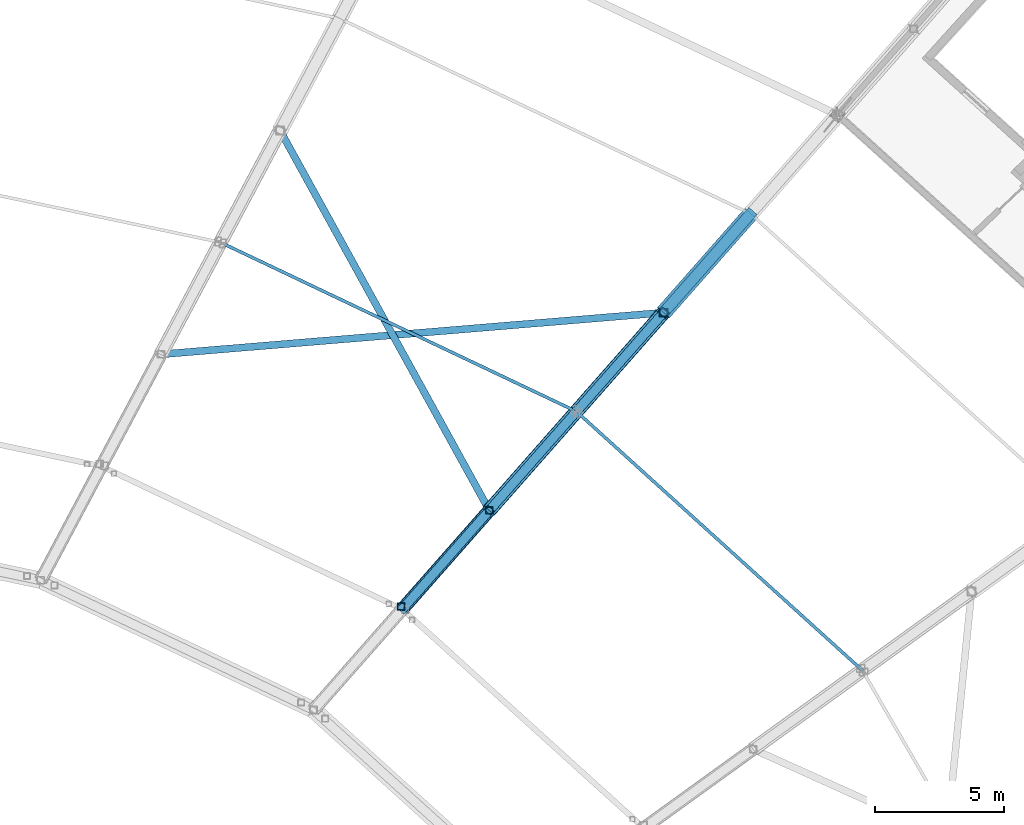
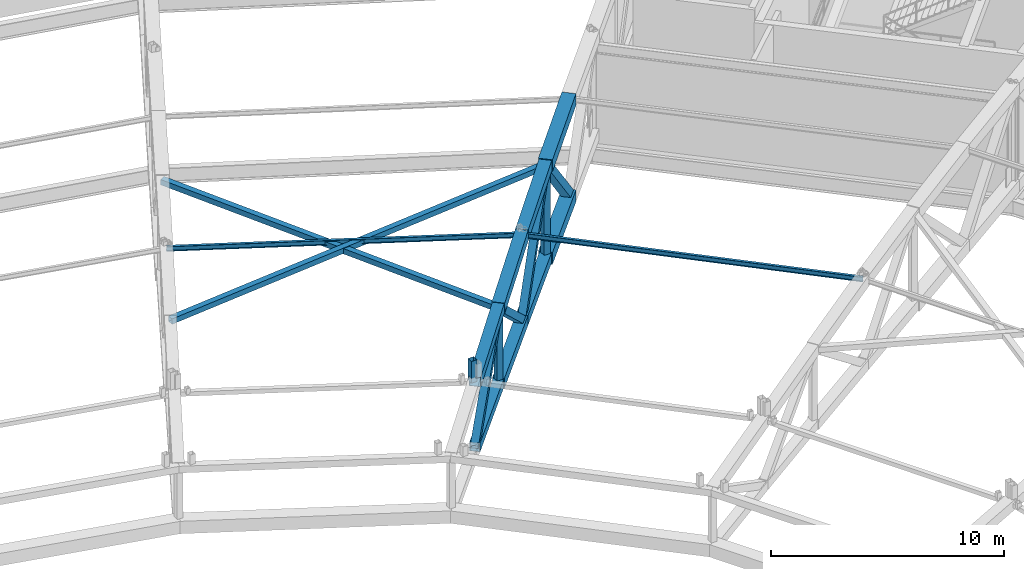
# One storey, part 85 of 162: 19 members.
"""IFC4 building model written with IfcOpenShell, lengths in metres."""

from ifc_helpers import new_model, si_unit, direction, frame, origin, origin_2d, place, context, subcontext, project, spatial, hollow_rectangle, i_section, extrude, material, material_profile, profile_set, type_object, element, save


model = new_model("IFC4")

# Units and contexts
model_context = context("Model", 3, precision=1e-05, world=origin(), true_north=direction((0.0, 1.0)))
body_context = subcontext(model_context, "Body", "Model", "MODEL_VIEW")
ifc_project = project(units=[si_unit("LENGTHUNIT", "METRE"), si_unit("AREAUNIT", "SQUARE_METRE"), si_unit("VOLUMEUNIT", "CUBIC_METRE"), si_unit("PLANEANGLEUNIT", "RADIAN"), si_unit("MASSUNIT", "GRAM", prefix="KILO")], contexts=[model_context])

# Site, building, storey
site_placement = place(None, origin())
site = spatial("IfcSite", under=ifc_project, at=site_placement, CompositionType="ELEMENT")
building_placement = place(site_placement, origin())
building = spatial("IfcBuilding", under=site, at=building_placement, Name="Kazemori Nagisa Stadium", CompositionType="ELEMENT")
storey_placement = place(building_placement, frame((0.0, 0.0, 36.719970703125)))
storey = spatial("IfcBuildingStorey", under=building, at=storey_placement, Name="RF", CompositionType="ELEMENT", Elevation=36.719970703125)

# Members
ifc_material_1 = material(Name="Steel STKR490", Category="steel")
ifc_material_profile_1 = material_profile(ifc_material_1, hollow_rectangle(XDim=0.280029296875, YDim=0.280029296875, WallThickness=0.010009765625, at=origin_2d()), Name="SHS-280x280x10")
ifc_profile_set_1 = profile_set([ifc_material_profile_1], Name="Steel STKR490")
member_type_1 = type_object("IfcMemberType", Name="Member_ST-SHS280", PredefinedType="STUD", material=ifc_profile_set_1)
member_1_placement = place(storey_placement, frame((159.884765625, 144.034912109375, 4.97509765625), z_axis=(0.0, 0.0, 1.0), x_axis=(1.0, 0.0, 0.0)))
element("IfcMember", 1, at=member_1_placement, inside=storey, type_object=member_type_1, Name="Canopy bearing stool B05-inner-4", PredefinedType="STUD", context=body_context, shape_type="SweptSolid", body=[
    extrude(hollow_rectangle(XDim=0.280029296875, YDim=0.280029296875, WallThickness=0.010009765625, at=origin_2d()), origin(), (0.0, 0.0, 1.0), 1.1298828125),
])
ifc_material_profile_2 = material_profile(ifc_material_1, hollow_rectangle(XDim=0.280029296875, YDim=0.280029296875, WallThickness=0.010009765625, at=origin_2d()), Name="SHS-280x280x10")
ifc_profile_set_2 = profile_set([ifc_material_profile_2], Name="Steel STKR490")
member_type_2 = type_object("IfcMemberType", Name="Member_TB-SHS280", PredefinedType="BRACE", material=ifc_profile_set_2)
member_2_placement = place(storey_placement, frame((170.07373046875, 155.436279296875, 5.787109375), z_axis=(-0.996455575156, -0.082606682225, -0.015887819015), x_axis=(0.082617110104, -0.99658136302, 0.0)))
element("IfcMember", 2, at=member_2_placement, inside=storey, type_object=member_type_2, Name="Roof space truss plan brace B05-1", PredefinedType="BRACE", context=body_context, shape_type="SweptSolid", body=[
    extrude(hollow_rectangle(XDim=0.280029296875, YDim=0.280029296875, WallThickness=0.010009765625, at=origin_2d()), origin(), (0.0, 0.0, 1.0), 19.576904296875),
])
member_3_placement = place(storey_placement, frame((155.189208984375, 162.509033203125, 5.89111328125), z_axis=(0.482251901216, -0.875430318288, -0.032478632926), x_axis=(0.875892412816, 0.482506457129, 0.0)))
element("IfcMember", 3, at=member_3_placement, inside=storey, type_object=member_type_2, Name="Roof space truss plan brace B05-2", PredefinedType="BRACE", context=body_context, shape_type="SweptSolid", body=[
    extrude(hollow_rectangle(XDim=0.280029296875, YDim=0.280029296875, WallThickness=0.010009765625, at=origin_2d()), origin(), (0.0, 0.0, 1.0), 16.845458984375),
])
ifc_material_profile_3 = material_profile(ifc_material_1, hollow_rectangle(XDim=0.360107421875, YDim=0.360107421875, WallThickness=0.013916015625, at=origin_2d()), Name="SHS-360x360x14")
ifc_profile_set_3 = profile_set([ifc_material_profile_3], Name="Steel STKR490")
member_type_3 = type_object("IfcMemberType", Name="Member_TB-SHS360", PredefinedType="BRACE", material=ifc_profile_set_3)
member_4_placement = place(storey_placement, frame((170.07373046875, 155.436279296875, 5.787109375), z_axis=(-0.490786819249, -0.557106488382, -0.66989600585), x_axis=(0.750357303375, -0.661032463099, 0.0)))
element("IfcMember", 4, at=member_4_placement, inside=storey, type_object=member_type_3, Name="Roof space truss diagonal RT-05-6", PredefinedType="BRACE", context=body_context, shape_type="SweptSolid", body=[
    extrude(hollow_rectangle(XDim=0.360107421875, YDim=0.360107421875, WallThickness=0.013916015625, at=origin_2d()), origin(), (0.0, 0.0, 1.0), 6.8876953125),
])
member_5_placement = place(storey_placement, frame((166.693359375, 151.59912109375, 1.173095703125), z_axis=(-0.512253379035, -0.581473808919, 0.632048008626), x_axis=(0.750357303375, -0.661032463099, 0.0)))
element("IfcMember", 5, at=member_5_placement, inside=storey, type_object=member_type_3, Name="Roof space truss diagonal RT-05-7", PredefinedType="BRACE", context=body_context, shape_type="SweptSolid", body=[
    extrude(hollow_rectangle(XDim=0.360107421875, YDim=0.360107421875, WallThickness=0.013916015625, at=origin_2d()), origin(), (0.0, 0.0, 1.0), 6.59912109375),
])
member_6_placement = place(storey_placement, frame((163.31298828125, 147.761962890625, 5.343994140625), z_axis=(-0.531302334528, -0.603140396662, -0.594928139559), x_axis=(0.750380984059, -0.661005581491, 0.0)))
element("IfcMember", 6, at=member_6_placement, inside=storey, type_object=member_type_3, Name="Roof space truss diagonal RT-05-8", PredefinedType="BRACE", context=body_context, shape_type="SweptSolid", body=[
    extrude(hollow_rectangle(XDim=0.360107421875, YDim=0.360107421875, WallThickness=0.013916015625, at=origin_2d()), origin(), (0.0, 0.0, 1.0), 6.362060546875),
])
ifc_material_profile_4 = material_profile(ifc_material_1, hollow_rectangle(XDim=0.419921875, YDim=0.419921875, WallThickness=0.01611328125, at=origin_2d()), Name="SHS-420x420x16")
ifc_profile_set_4 = profile_set([ifc_material_profile_4], Name="Steel STKR490")
member_type_4 = type_object("IfcMemberType", Name="Member_TB-SHS420", PredefinedType="BRACE", material=ifc_profile_set_4)
member_7_placement = place(storey_placement, frame((173.453857421875, 159.2734375, 0.697998046875), z_axis=(-0.468522650093, -0.531872191514, 0.705406619082), x_axis=(0.750380984059, -0.661005581491, 0.0)))
element("IfcMember", 7, at=member_7_placement, inside=storey, type_object=member_type_4, Name="Roof space truss diagonal RT-05-5", PredefinedType="BRACE", context=body_context, shape_type="SweptSolid", body=[
    extrude(hollow_rectangle(XDim=0.419921875, YDim=0.419921875, WallThickness=0.01611328125, at=origin_2d()), origin(), (0.0, 0.0, 1.0), 7.21435546875),
])
ifc_material_profile_5 = material_profile(ifc_material_1, hollow_rectangle(XDim=0.4599609375, YDim=0.4599609375, WallThickness=0.01611328125, at=origin_2d()), Name="SHS-460x460x16")
ifc_profile_set_5 = profile_set([ifc_material_profile_5], Name="Steel STKR490")
member_type_5 = type_object("IfcMemberType", Name="Member_TC-SHS460", PredefinedType="CHORD", material=ifc_profile_set_5)
member_8_placement = place(storey_placement, frame((163.31298828125, 147.761962890625, 1.39111328125), z_axis=(-0.660649273898, -0.749976499664, 0.032829664171), x_axis=(0.750380984059, -0.661005581491, 0.0)))
element("IfcMember", 8, at=member_8_placement, inside=storey, type_object=member_type_5, Name="Roof space truss bottom chord RT-05-8", PredefinedType="CHORD", context=body_context, shape_type="SweptSolid", body=[
    extrude(hollow_rectangle(XDim=0.4599609375, YDim=0.4599609375, WallThickness=0.01611328125, at=origin_2d()), origin(), (0.0, 0.0, 1.0), 5.116455078125),
])
ifc_material_profile_6 = material_profile(ifc_material_1, hollow_rectangle(XDim=0.52001953125, YDim=0.52001953125, WallThickness=0.01904296875, at=origin_2d()), Name="SHS-520x520x19")
ifc_profile_set_6 = profile_set([ifc_material_profile_6], Name="Steel STKR490")
member_type_6 = type_object("IfcMemberType", Name="Member_TC-SHS520", PredefinedType="CHORD", material=ifc_profile_set_6)
member_9_placement = place(storey_placement, frame((170.07373046875, 155.436279296875, 0.93505859375), z_axis=(-0.660317483099, -0.749545708642, 0.046497872745), x_axis=(0.750357303375, -0.661032463099, 0.0)))
element("IfcMember", 9, at=member_9_placement, inside=storey, type_object=member_type_6, Name="Roof space truss bottom chord RT-05-6", PredefinedType="CHORD", context=body_context, shape_type="SweptSolid", body=[
    extrude(hollow_rectangle(XDim=0.52001953125, YDim=0.52001953125, WallThickness=0.01904296875, at=origin_2d()), origin(), (0.0, 0.0, 1.0), 5.119384765625),
])
member_10_placement = place(storey_placement, frame((166.693359375, 151.59912109375, 1.173095703125), z_axis=(-0.660432532392, -0.749676304463, 0.042594702544), x_axis=(0.750357303375, -0.661032463099, 0.0)))
element("IfcMember", 10, at=member_10_placement, inside=storey, type_object=member_type_6, Name="Roof space truss bottom chord RT-05-7", PredefinedType="CHORD", context=body_context, shape_type="SweptSolid", body=[
    extrude(hollow_rectangle(XDim=0.52001953125, YDim=0.52001953125, WallThickness=0.01904296875, at=origin_2d()), origin(), (0.0, 0.0, 1.0), 5.118408203125),
])
member_11_placement = place(storey_placement, frame((163.31298828125, 147.761962890625, 5.343994140625), z_axis=(-0.659292266129, -0.748436009154, -0.071953096), x_axis=(0.750380984059, -0.661005581491, 0.0)))
element("IfcMember", 11, at=member_11_placement, inside=storey, type_object=member_type_6, Name="Roof space truss top chord RT-05-8", PredefinedType="CHORD", context=body_context, shape_type="SweptSolid", body=[
    extrude(hollow_rectangle(XDim=0.52001953125, YDim=0.52001953125, WallThickness=0.01904296875, at=origin_2d()), origin(), (0.0, 0.0, 1.0), 5.126953125),
])
ifc_material_profile_7 = material_profile(ifc_material_1, hollow_rectangle(XDim=0.56005859375, YDim=0.56005859375, WallThickness=0.02001953125, at=origin_2d()), Name="SHS-560x560x20")
ifc_profile_set_7 = profile_set([ifc_material_profile_7], Name="Steel STKR490")
member_type_7 = type_object("IfcMemberType", Name="Member_TC-SHS560", PredefinedType="CHORD", material=ifc_profile_set_7)
member_12_placement = place(storey_placement, frame((170.07373046875, 155.436279296875, 5.787109375), z_axis=(-0.660805523277, -0.750099697338, -0.026201230123), x_axis=(0.750357303375, -0.661032463099, 0.0)))
element("IfcMember", 12, at=member_12_placement, inside=storey, type_object=member_type_7, Name="Roof space truss top chord RT-05-6", PredefinedType="CHORD", context=body_context, shape_type="SweptSolid", body=[
    extrude(hollow_rectangle(XDim=0.56005859375, YDim=0.56005859375, WallThickness=0.02001953125, at=origin_2d()), origin(), (0.0, 0.0, 1.0), 5.115478515625),
])
member_13_placement = place(storey_placement, frame((166.693359375, 151.59912109375, 5.653076171875), z_axis=(-0.659828344639, -0.748990473255, -0.060330975322), x_axis=(0.750357303375, -0.661032463099, 0.0)))
element("IfcMember", 13, at=member_13_placement, inside=storey, type_object=member_type_7, Name="Roof space truss top chord RT-05-7", PredefinedType="CHORD", context=body_context, shape_type="SweptSolid", body=[
    extrude(hollow_rectangle(XDim=0.56005859375, YDim=0.56005859375, WallThickness=0.02001953125, at=origin_2d()), origin(), (0.0, 0.0, 1.0), 5.123046875),
])
ifc_material_profile_8 = material_profile(ifc_material_1, hollow_rectangle(XDim=0.6201171875, YDim=0.6201171875, WallThickness=0.02197265625, at=origin_2d()), Name="SHS-620x620x22")
ifc_profile_set_8 = profile_set([ifc_material_profile_8], Name="Steel STKR490")
member_type_8 = type_object("IfcMemberType", Name="Member_TC-SHS620", PredefinedType="CHORD", material=ifc_profile_set_8)
member_14_placement = place(storey_placement, frame((173.453857421875, 159.2734375, 5.742919921875), z_axis=(-0.660980902222, -0.750352967875, 0.008641209339), x_axis=(0.750380984059, -0.661005581491, 0.0)))
element("IfcMember", 14, at=member_14_placement, inside=storey, type_object=member_type_8, Name="Roof space truss top chord RT-05-5", PredefinedType="CHORD", context=body_context, shape_type="SweptSolid", body=[
    extrude(hollow_rectangle(XDim=0.6201171875, YDim=0.6201171875, WallThickness=0.02197265625, at=origin_2d()), origin(), (0.0, 0.0, 1.0), 5.11376953125),
])
member_15_placement = place(storey_placement, frame((173.453857421875, 159.2734375, 0.697998046875), z_axis=(-0.660296430693, -0.749575948083, 0.046308980441), x_axis=(0.750380984059, -0.661005581491, 0.0)))
element("IfcMember", 15, at=member_15_placement, inside=storey, type_object=member_type_8, Name="Roof space truss bottom chord RT-05-5", PredefinedType="CHORD", context=body_context, shape_type="SweptSolid", body=[
    extrude(hollow_rectangle(XDim=0.6201171875, YDim=0.6201171875, WallThickness=0.02197265625, at=origin_2d()), origin(), (0.0, 0.0, 1.0), 5.119140625),
])
ifc_material_2 = material(Name="Steel SN490B", Category="steel")
ifc_material_profile_9 = material_profile(ifc_material_2, i_section(OverallWidth=0.125, OverallDepth=0.25, WebThickness=0.006103515625, FlangeThickness=0.009033203125, FilletRadius=0.008056640625, at=origin_2d()), Name="H-250x125x6x9")
ifc_profile_set_9 = profile_set([ifc_material_profile_9], Name="Steel SN490B")
member_type_9 = type_object("IfcMemberType", Name="Member_TP-H250", PredefinedType="PURLIN", material=ifc_profile_set_9)
member_16_placement = place(storey_placement, frame((177.789794921875, 141.553955078125, 5.5380859375), z_axis=(-0.741329938556, 0.671096792632, 0.00768226004), x_axis=(-0.671116596608, -0.741351815103, 0.0)))
element("IfcMember", 16, at=member_16_placement, inside=storey, type_object=member_type_9, Name="Roof purlin TP-H250 B04-P6", PredefinedType="PURLIN", context=body_context, shape_type="SweptSolid", body=[
    extrude(i_section(OverallWidth=0.125, OverallDepth=0.25, WebThickness=0.006103515625, FlangeThickness=0.009033203125, FilletRadius=0.008056640625, at=origin_2d()), origin(), (0.0, 0.0, 1.0), 14.96826171875),
])
member_17_placement = place(storey_placement, frame((166.693359375, 151.59912109375, 5.653076171875), z_axis=(-0.903178039117, 0.429172762761, 0.00895373447), x_axis=(-0.429189967048, -0.903214244897, 0.0)))
element("IfcMember", 17, at=member_17_placement, inside=storey, type_object=member_type_9, Name="Roof purlin TP-H250 B05-P6", PredefinedType="PURLIN", context=body_context, shape_type="SweptSolid", body=[
    extrude(i_section(OverallWidth=0.125, OverallDepth=0.25, WebThickness=0.006103515625, FlangeThickness=0.009033203125, FilletRadius=0.008056640625, at=origin_2d()), origin(), (0.0, 0.0, 1.0), 15.296630859375),
])
ifc_material_profile_10 = material_profile(ifc_material_1, hollow_rectangle(XDim=0.280029296875, YDim=0.280029296875, WallThickness=0.010009765625, at=origin_2d()), Name="SHS-280x280x10")
ifc_profile_set_10 = profile_set([ifc_material_profile_10], Name="Steel STKR490")
member_type_10 = type_object("IfcMemberType", Name="Member_TS-SHS280", PredefinedType="STRUT", material=ifc_profile_set_10)
member_18_placement = place(storey_placement, frame((163.31298828125, 147.761962890625, 1.39111328125), z_axis=(0.0, 0.0, 1.0), x_axis=(1.0, 0.0, 0.0)))
element("IfcMember", 18, at=member_18_placement, inside=storey, type_object=member_type_10, Name="Roof space truss strut RT-05-8", PredefinedType="STRUT", context=body_context, shape_type="SweptSolid", body=[
    extrude(hollow_rectangle(XDim=0.280029296875, YDim=0.280029296875, WallThickness=0.010009765625, at=origin_2d()), origin(), (0.0, 0.0, 1.0), 3.952880859375),
])
ifc_material_profile_11 = material_profile(ifc_material_1, hollow_rectangle(XDim=0.320068359375, YDim=0.320068359375, WallThickness=0.011962890625, at=origin_2d()), Name="SHS-320x320x12")
ifc_profile_set_11 = profile_set([ifc_material_profile_11], Name="Steel STKR490")
member_type_11 = type_object("IfcMemberType", Name="Member_TS-SHS320", PredefinedType="STRUT", material=ifc_profile_set_11)
member_19_placement = place(storey_placement, frame((170.07373046875, 155.436279296875, 0.93505859375), z_axis=(0.0, 0.0, 1.0), x_axis=(1.0, 0.0, 0.0)))
element("IfcMember", 19, at=member_19_placement, inside=storey, type_object=member_type_11, Name="Roof space truss strut RT-05-6", PredefinedType="STRUT", context=body_context, shape_type="SweptSolid", body=[
    extrude(hollow_rectangle(XDim=0.320068359375, YDim=0.320068359375, WallThickness=0.011962890625, at=origin_2d()), origin(), (0.0, 0.0, 1.0), 4.85205078125),
])

save(model, "model.ifc")
